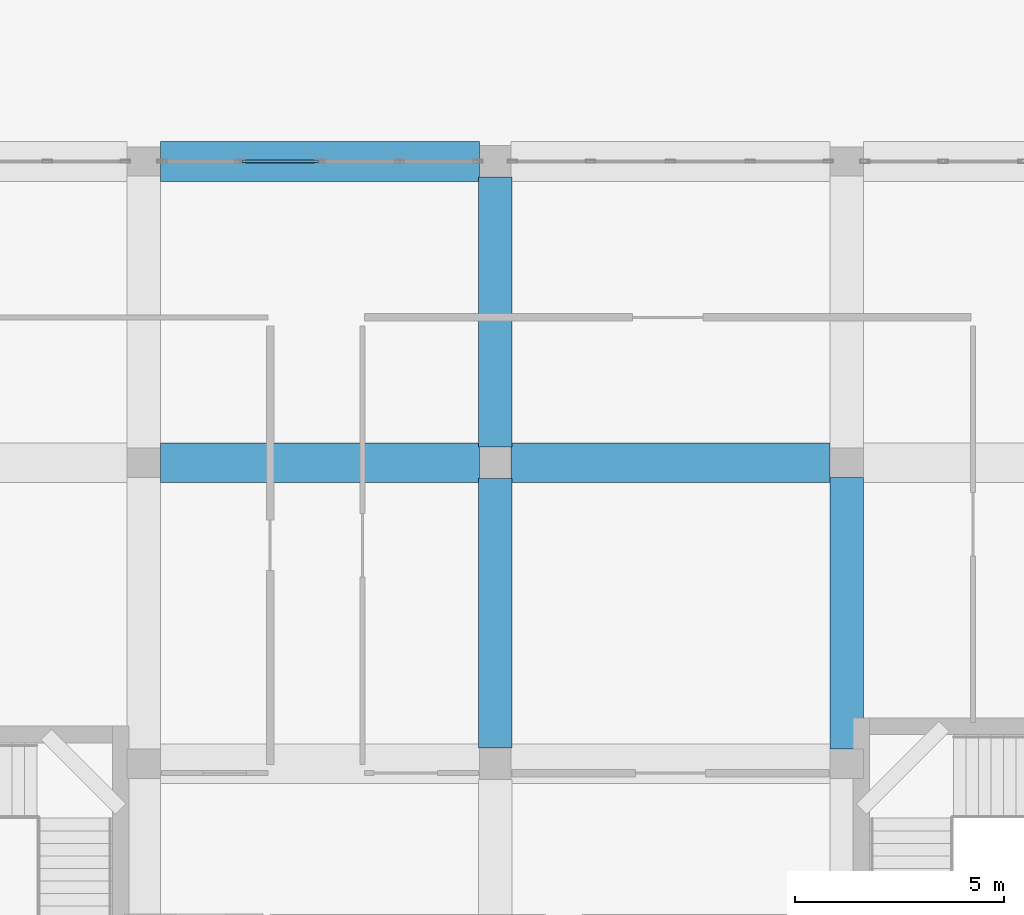
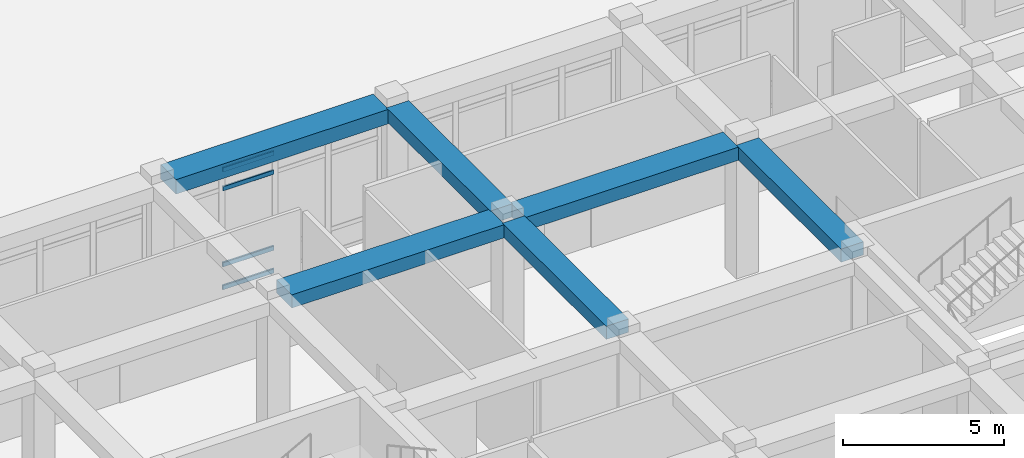
# One storey, part 22 of 84: 6 beams, 4 members, 1 element without a shape of its own.
"""IFC4 building model written with IfcOpenShell, lengths in metres."""

from ifc_helpers import new_model, si_unit, derived_unit, direction, frame, origin, origin_2d, place, context, subcontext, project, spatial, rectangle, hollow_rectangle, extrude, material, material_profile, profile_set, type_object, element, aggregate, save


model = new_model("IFC4")

# Units and contexts
model_context = context("Model", 3, precision=1e-05, world=origin(), true_north=direction((0.0, 1.0)))
body_context = subcontext(model_context, "Body", "Model", "MODEL_VIEW")
ifc_project = project(units=[si_unit("LENGTHUNIT", "METRE"), si_unit("AREAUNIT", "SQUARE_METRE"), si_unit("VOLUMEUNIT", "CUBIC_METRE"), si_unit("PLANEANGLEUNIT", "RADIAN"), si_unit("MASSUNIT", "GRAM", prefix="KILO"), derived_unit("THERMALTRANSMITTANCEUNIT", [(si_unit("POWERUNIT", "WATT"), 1), (si_unit("LENGTHUNIT", "METRE"), -2), (si_unit("THERMODYNAMICTEMPERATUREUNIT", "KELVIN"), -1)])], contexts=[model_context])

# Site, building, storey
site_placement = place(None, origin())
site = spatial("IfcSite", under=ifc_project, at=site_placement, CompositionType="ELEMENT")
building_placement = place(site_placement, origin())
building = spatial("IfcBuilding", under=site, at=building_placement, Name="Veybourne Emporium", CompositionType="ELEMENT")
storey_placement = place(building_placement, origin())
storey = spatial("IfcBuildingStorey", under=building, at=storey_placement, Name="L00", CompositionType="ELEMENT", Elevation=0.0)

# Curtain wall, members
ifc_material_1 = material(Name="Patinated Architectural Bronze", Category="bronze")
curtain_wall_type = type_object("IfcCurtainWallType", Name="CWSystem_CWS-12", PredefinedType="NOTDEFINED", material=ifc_material_1)
curtain_wall_placement = place(storey_placement, origin())
curtain_wall = element("IfcCurtainWall", 1, at=curtain_wall_placement, inside=storey, type_object=curtain_wall_type, Name="L00 bronze glazed curtain wall CWS-12 (058)", PredefinedType="NOTDEFINED")
ifc_material_profile_1 = material_profile(ifc_material_1, hollow_rectangle(XDim=0.070068359375, YDim=0.169921875, WallThickness=0.0048828125, InnerFilletRadius=0.007568359375, OuterFilletRadius=0.012451171875, at=origin_2d()), Name="CWT 70x170x5")
ifc_profile_set_1 = profile_set([ifc_material_profile_1], Name="Patinated Architectural Bronze")
member_type = type_object("IfcMemberType", Name="CWTransom_CW-T4", PredefinedType="NOTDEFINED", material=ifc_profile_set_1)
member_1_placement = place(storey_placement, frame((111.541259765625, 28.800048828125, 0.034912109375), z_axis=(1.0, 0.0, 0.0), x_axis=(0.0, 1.0, 0.0)))
member_1 = element("IfcMember", 2, at=member_1_placement, type_object=member_type, Name="CWS-12 transom 2.1", ObjectType="TRANSOM", PredefinedType="USERDEFINED", context=body_context, shape_type="SweptSolid", body=[
    extrude(hollow_rectangle(XDim=0.070068359375, YDim=0.169921875, WallThickness=0.0048828125, InnerFilletRadius=0.007568359375, OuterFilletRadius=0.012451171875, at=origin_2d()), origin(), (0.0, 0.0, 1.0), 1.836181640625),
])
member_2_placement = place(storey_placement, frame((111.541259765625, 28.800048828125, 0.89990234375), z_axis=(1.0, 0.0, 0.0), x_axis=(0.0, 1.0, 0.0)))
member_2 = element("IfcMember", 3, at=member_2_placement, type_object=member_type, Name="CWS-12 transom 2.2", ObjectType="TRANSOM", PredefinedType="USERDEFINED", context=body_context, shape_type="SweptSolid", body=[
    extrude(hollow_rectangle(XDim=0.070068359375, YDim=0.169921875, WallThickness=0.0048828125, InnerFilletRadius=0.007568359375, OuterFilletRadius=0.012451171875, at=origin_2d()), origin(), (0.0, 0.0, 1.0), 1.836181640625),
])
member_3_placement = place(storey_placement, frame((111.541259765625, 28.800048828125, 3.780029296875), z_axis=(1.0, 0.0, 0.0), x_axis=(0.0, 1.0, 0.0)))
member_3 = element("IfcMember", 4, at=member_3_placement, type_object=member_type, Name="CWS-12 transom 2.3", ObjectType="TRANSOM", PredefinedType="USERDEFINED", context=body_context, shape_type="SweptSolid", body=[
    extrude(hollow_rectangle(XDim=0.070068359375, YDim=0.169921875, WallThickness=0.0048828125, InnerFilletRadius=0.007568359375, OuterFilletRadius=0.012451171875, at=origin_2d()), origin(), (0.0, 0.0, 1.0), 1.836181640625),
])
member_4_placement = place(storey_placement, frame((111.541259765625, 28.800048828125, 4.4951171875), z_axis=(1.0, 0.0, 0.0), x_axis=(0.0, 1.0, 0.0)))
member_4 = element("IfcMember", 5, at=member_4_placement, type_object=member_type, Name="CWS-12 transom 2.4", ObjectType="TRANSOM", PredefinedType="USERDEFINED", context=body_context, shape_type="SweptSolid", body=[
    extrude(hollow_rectangle(XDim=0.070068359375, YDim=0.169921875, WallThickness=0.0048828125, InnerFilletRadius=0.007568359375, OuterFilletRadius=0.012451171875, at=origin_2d()), origin(), (0.0, 0.0, 1.0), 1.836181640625),
])
aggregate(curtain_wall, [member_1, member_2, member_3, member_4])

# Beams
ifc_material_2 = material(Name="Concrete C32/40", Category="concrete")
ifc_material_profile_2 = material_profile(ifc_material_2, rectangle(XDim=0.949951171875, YDim=0.5, at=origin_2d()), Name="RC 950x500")
ifc_profile_set_2 = profile_set([ifc_material_profile_2], Name="Concrete C32/40")
beam_type_1 = type_object("IfcBeamType", Name="RCBeam_BB-01", PredefinedType="BEAM", material=ifc_profile_set_2)
for number, where, z_axis, x_axis, name in (
    (6, (109.60009765625, 21.60009765625, 4.830078125), (1.0, 0.0, 0.0), (0.0, 1.0, 0.0), "L00 X-grid beam BB-01 (13,3)"),
    (7, (117.97509765625, 21.60009765625, 4.830078125), (1.0, 0.0, 0.0), (0.0, 1.0, 0.0), "L00 X-grid beam BB-01 (14,3)"),
):
    element("IfcBeam", number, at=place(storey_placement, frame(where, z_axis=z_axis, x_axis=x_axis)), inside=storey, type_object=beam_type_1, Name=name, PredefinedType="BEAM", context=body_context, shape_type="SweptSolid", body=[
        extrude(rectangle(XDim=0.949951171875, YDim=0.5, at=origin_2d()), origin(), (0.0, 0.0, 1.0), 7.625),
    ])
ifc_material_profile_3 = material_profile(ifc_material_2, rectangle(XDim=0.800048828125, YDim=0.5, at=origin_2d()), Name="RC 800x500")
ifc_profile_set_3 = profile_set([ifc_material_profile_3], Name="Concrete C32/40")
beam_type_2 = type_object("IfcBeamType", Name="RCBeam_BB-02", PredefinedType="BEAM", material=ifc_profile_set_3)
beam_1_placement = place(storey_placement, frame((117.60009765625, 14.77490234375, 4.830078125), z_axis=(0.0, 1.0, 0.0), x_axis=(-1.0, 0.0, 0.0)))
element("IfcBeam", 8, at=beam_1_placement, inside=storey, type_object=beam_type_2, Name="L00 Y-grid beam BB-02 (14,2)", PredefinedType="BEAM", context=body_context, shape_type="SweptSolid", body=[
    extrude(rectangle(XDim=0.800048828125, YDim=0.5, at=origin_2d()), origin(), (0.0, 0.0, 1.0), 6.4501953125),
])
beam_2_placement = place(storey_placement, frame((117.60009765625, 21.97509765625, 4.830078125), z_axis=(0.0, 1.0, 0.0), x_axis=(-1.0, 0.0, 0.0)))
element("IfcBeam", 9, at=beam_2_placement, inside=storey, type_object=beam_type_2, Name="L00 Y-grid beam BB-02 (14,3)", PredefinedType="BEAM", context=body_context, shape_type="SweptSolid", body=[
    extrude(rectangle(XDim=0.800048828125, YDim=0.5, at=origin_2d()), origin(), (0.0, 0.0, 1.0), 6.449951171875),
])
beam_3_placement = place(storey_placement, frame((126.0, 14.75, 4.830078125), z_axis=(0.0, 1.0, 0.0), x_axis=(-1.0, 0.0, 0.0)))
element("IfcBeam", 10, at=beam_3_placement, inside=storey, type_object=beam_type_2, Name="L00 Y-grid beam BB-02 (15,2)", PredefinedType="BEAM", context=body_context, shape_type="SweptSolid", body=[
    extrude(rectangle(XDim=0.800048828125, YDim=0.5, at=origin_2d()), origin(), (0.0, 0.0, 1.0), 6.5),
])
ifc_material_profile_4 = material_profile(ifc_material_2, rectangle(XDim=0.949951171875, YDim=0.550048828125, at=origin_2d()), Name="RC 950x550")
ifc_profile_set_4 = profile_set([ifc_material_profile_4], Name="Concrete C32/40")
beam_type_3 = type_object("IfcBeamType", Name="RCBeam_EB-01", PredefinedType="SPANDREL", material=ifc_profile_set_4)
beam_4_placement = place(storey_placement, frame((109.60009765625, 28.800048828125, 4.804931640625), z_axis=(1.0, 0.0, 0.0), x_axis=(0.0, 1.0, 0.0)))
element("IfcBeam", 11, at=beam_4_placement, inside=storey, type_object=beam_type_3, Name="L00 X-grid beam EB-01 (13,4)", PredefinedType="SPANDREL", context=body_context, shape_type="SweptSolid", body=[
    extrude(rectangle(XDim=0.949951171875, YDim=0.550048828125, at=origin_2d()), origin(), (0.0, 0.0, 1.0), 7.625),
])

save(model, "model.ifc")
